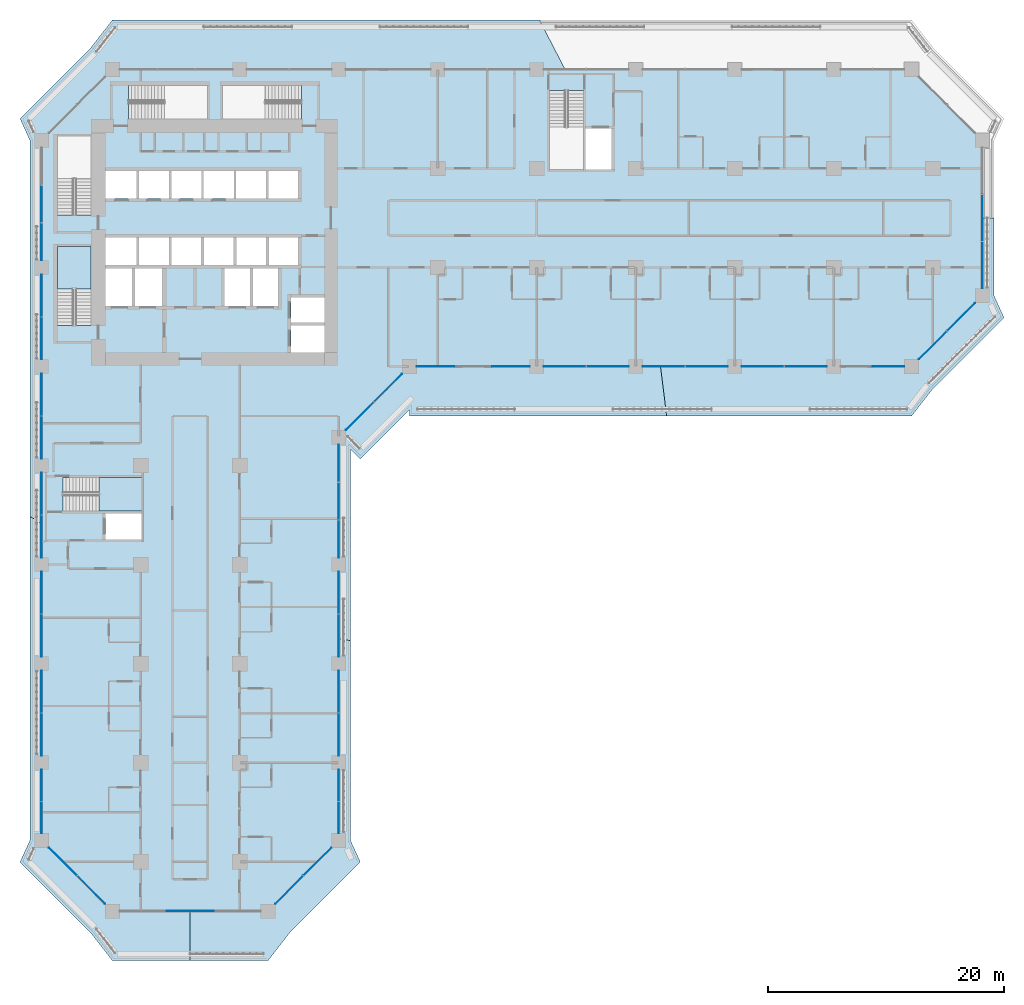
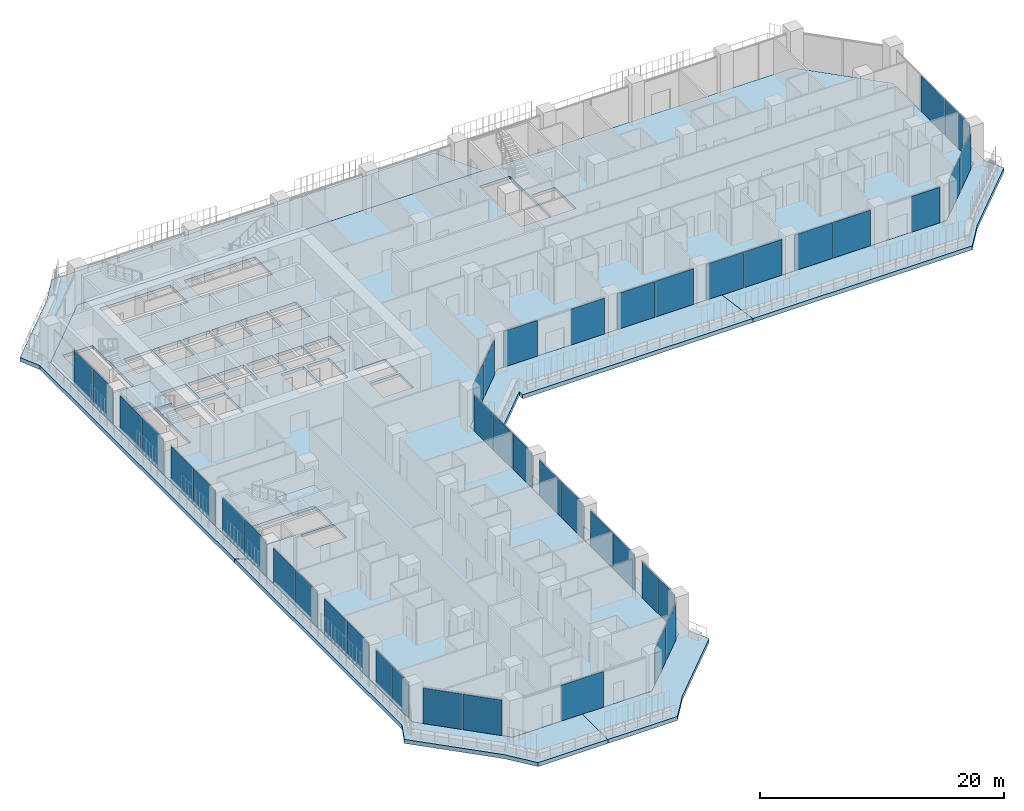
# One storey, part 10 of 28: 43 plates, 8 slabs, 11 elements without a shape of their own.
"""IFC4 building model written with IfcOpenShell, lengths in metres."""

from ifc_helpers import new_model, si_unit, direction, frame, origin, origin_2d, place, context, subcontext, project, spatial, polyline, rectangle, outline, extrude, material, layer, layer_set, type_object, element, aggregate, save


model = new_model("IFC4")

# Units and contexts
model_context = context("Model", 3, precision=1e-05, world=origin(), true_north=direction((0.0, 1.0)))
body_context = subcontext(model_context, "Body", "Model", "MODEL_VIEW")
ifc_project = project(units=[si_unit("LENGTHUNIT", "METRE"), si_unit("AREAUNIT", "SQUARE_METRE"), si_unit("VOLUMEUNIT", "CUBIC_METRE"), si_unit("PLANEANGLEUNIT", "RADIAN"), si_unit("MASSUNIT", "GRAM", prefix="KILO")], contexts=[model_context])

# Site, building, storey
site_placement = place(None, origin())
site = spatial("IfcSite", under=ifc_project, at=site_placement, CompositionType="ELEMENT")
building_placement = place(site_placement, origin())
building = spatial("IfcBuilding", under=site, at=building_placement, Name="Kawkab Arch Medical Tower", CompositionType="ELEMENT")
storey_placement = place(building_placement, frame((0.0, 0.0, 89.60009765625)))
storey = spatial("IfcBuildingStorey", under=building, at=storey_placement, Name="L20", CompositionType="ELEMENT", Elevation=89.60009765625)

# Curtain wall, plates
ifc_material_1 = material(Name="Bronze anodised aluminium curtain wall frame", Category="aluminium")
ifc_layer_1 = layer(ifc_material_1, 0.159912109375)
ifc_layer_set_1 = layer_set([ifc_layer_1], Name="Bronze anodised aluminium curtain wall frame")
curtain_wall_type_1 = type_object("IfcCurtainWallType", Name="CW1 ward curtain wall", PredefinedType="NOTDEFINED", material=ifc_layer_set_1)
placement_1 = place(storey_placement, origin())
curtain_wall_1 = element("IfcCurtainWall", 1, at=placement_1, inside=storey, type_object=curtain_wall_type_1, Name="CW1 Ward curtain wall R01", PredefinedType="NOTDEFINED")
ifc_material_2 = material(Name="Tinted insulating glass, bronze low-e coating", Category="glass")
ifc_layer_2 = layer(ifc_material_2, 0.031982421875)
ifc_layer_set_2 = layer_set([ifc_layer_2], Name="Tinted insulating glass, bronze low-e coating")
plate_type_1 = type_object("IfcPlateType", Name="CW1 glazing unit 32", PredefinedType="CURTAIN_PANEL", material=ifc_layer_set_2)
plate_1_placement = place(storey_placement, frame((0.0, -11.41259765625, -0.000244140625), z_axis=(0.0, 0.0, 1.0), x_axis=(0.0, -1.0, 0.0)))
plate_1 = element("IfcPlate", 2, at=plate_1_placement, type_object=plate_type_1, Name="CW1 glazing unit 1.2", PredefinedType="CURTAIN_PANEL", context=body_context, shape_type="SweptSolid", body=[
    extrude(rectangle(XDim=3.131591796875, YDim=0.031982421875, at=origin_2d()), origin(), (0.0, 0.0, 1.0), 3.580078125),
])
plate_2_placement = place(storey_placement, frame((0.0, -14.619140625, -0.000244140625), z_axis=(0.0, 0.0, 1.0), x_axis=(0.0, -1.0, 0.0)))
plate_2 = element("IfcPlate", 3, at=plate_2_placement, type_object=plate_type_1, Name="CW1 glazing unit 1.3", PredefinedType="CURTAIN_PANEL", context=body_context, shape_type="SweptSolid", body=[
    extrude(rectangle(XDim=3.16162109375, YDim=0.031982421875, at=origin_2d()), origin(), (0.0, 0.0, 1.0), 3.580078125),
])
plate_3_placement = place(storey_placement, frame((0.0, -19.18505859375, -0.000244140625), z_axis=(0.0, 0.0, 1.0), x_axis=(0.0, -1.0, 0.0)))
plate_3 = element("IfcPlate", 4, at=plate_3_placement, type_object=plate_type_1, Name="CW1 glazing unit 2.1", PredefinedType="CURTAIN_PANEL", context=body_context, shape_type="SweptSolid", body=[
    extrude(rectangle(XDim=3.570068359375, YDim=0.031982421875, at=origin_2d()), origin(), (0.0, 0.0, 1.0), 3.580078125),
])
plate_4_placement = place(storey_placement, frame((0.0, -22.81494140625, -0.000244140625), z_axis=(0.0, 0.0, 1.0), x_axis=(0.0, -1.0, 0.0)))
plate_4 = element("IfcPlate", 5, at=plate_4_placement, type_object=plate_type_1, Name="CW1 glazing unit 2.2", PredefinedType="CURTAIN_PANEL", context=body_context, shape_type="SweptSolid", body=[
    extrude(rectangle(XDim=3.570068359375, YDim=0.031982421875, at=origin_2d()), origin(), (0.0, 0.0, 1.0), 3.580078125),
])
plate_5_placement = place(storey_placement, frame((0.0, -27.5849609375, -0.000244140625), z_axis=(0.0, 0.0, 1.0), x_axis=(0.0, -1.0, 0.0)))
plate_5 = element("IfcPlate", 6, at=plate_5_placement, type_object=plate_type_1, Name="CW1 glazing unit 3.1", PredefinedType="CURTAIN_PANEL", context=body_context, shape_type="SweptSolid", body=[
    extrude(rectangle(XDim=3.570068359375, YDim=0.031982421875, at=origin_2d()), origin(), (0.0, 0.0, 1.0), 3.580078125),
])
plate_6_placement = place(storey_placement, frame((0.0, -31.215087890625, -0.000244140625), z_axis=(0.0, 0.0, 1.0), x_axis=(0.0, -1.0, 0.0)))
plate_6 = element("IfcPlate", 7, at=plate_6_placement, type_object=plate_type_1, Name="CW1 glazing unit 3.2", PredefinedType="CURTAIN_PANEL", context=body_context, shape_type="SweptSolid", body=[
    extrude(rectangle(XDim=3.570068359375, YDim=0.031982421875, at=origin_2d()), origin(), (0.0, 0.0, 1.0), 3.580078125),
])
plate_7_placement = place(storey_placement, frame((0.0, -35.985107421875, -0.000244140625), z_axis=(0.0, 0.0, 1.0), x_axis=(0.0, -1.0, 0.0)))
plate_7 = element("IfcPlate", 8, at=plate_7_placement, type_object=plate_type_1, Name="CW1 glazing unit 4.1", PredefinedType="CURTAIN_PANEL", context=body_context, shape_type="SweptSolid", body=[
    extrude(rectangle(XDim=3.570068359375, YDim=0.031982421875, at=origin_2d()), origin(), (0.0, 0.0, 1.0), 3.580078125),
])
plate_8_placement = place(storey_placement, frame((0.0, -39.614990234375, -0.000244140625), z_axis=(0.0, 0.0, 1.0), x_axis=(0.0, -1.0, 0.0)))
plate_8 = element("IfcPlate", 9, at=plate_8_placement, type_object=plate_type_1, Name="CW1 glazing unit 4.2", PredefinedType="CURTAIN_PANEL", context=body_context, shape_type="SweptSolid", body=[
    extrude(rectangle(XDim=3.570068359375, YDim=0.031982421875, at=origin_2d()), origin(), (0.0, 0.0, 1.0), 3.580078125),
])
plate_9_placement = place(storey_placement, frame((0.0, -44.385009765625, -0.000244140625), z_axis=(0.0, 0.0, 1.0), x_axis=(0.0, -1.0, 0.0)))
plate_9 = element("IfcPlate", 10, at=plate_9_placement, type_object=plate_type_1, Name="CW1 glazing unit 5.1", PredefinedType="CURTAIN_PANEL", context=body_context, shape_type="SweptSolid", body=[
    extrude(rectangle(XDim=3.570068359375, YDim=0.031982421875, at=origin_2d()), origin(), (0.0, 0.0, 1.0), 3.580078125),
])
plate_10_placement = place(storey_placement, frame((0.0, -48.014892578125, -0.000244140625), z_axis=(0.0, 0.0, 1.0), x_axis=(0.0, -1.0, 0.0)))
plate_10 = element("IfcPlate", 11, at=plate_10_placement, type_object=plate_type_1, Name="CW1 glazing unit 5.2", PredefinedType="CURTAIN_PANEL", context=body_context, shape_type="SweptSolid", body=[
    extrude(rectangle(XDim=3.570068359375, YDim=0.031982421875, at=origin_2d()), origin(), (0.0, 0.0, 1.0), 3.580078125),
])
plate_11_placement = place(storey_placement, frame((0.0, -52.784912109375, -0.000244140625), z_axis=(0.0, 0.0, 1.0), x_axis=(0.0, -1.0, 0.0)))
plate_11 = element("IfcPlate", 12, at=plate_11_placement, type_object=plate_type_1, Name="CW1 glazing unit 6.1", PredefinedType="CURTAIN_PANEL", context=body_context, shape_type="SweptSolid", body=[
    extrude(rectangle(XDim=3.570068359375, YDim=0.031982421875, at=origin_2d()), origin(), (0.0, 0.0, 1.0), 3.580078125),
])
plate_12_placement = place(storey_placement, frame((0.0, -56.4150390625, -0.000244140625), z_axis=(0.0, 0.0, 1.0), x_axis=(0.0, -1.0, 0.0)))
plate_12 = element("IfcPlate", 13, at=plate_12_placement, type_object=plate_type_1, Name="CW1 glazing unit 6.2", PredefinedType="CURTAIN_PANEL", context=body_context, shape_type="SweptSolid", body=[
    extrude(rectangle(XDim=3.570068359375, YDim=0.031982421875, at=origin_2d()), origin(), (0.0, 0.0, 1.0), 3.580078125),
])
plate_13_placement = place(storey_placement, frame((0.0, -60.728759765625, -0.000244140625), z_axis=(0.0, 0.0, 1.0), x_axis=(0.0, -1.0, 0.0)))
plate_13 = element("IfcPlate", 14, at=plate_13_placement, type_object=plate_type_1, Name="CW1 glazing unit 7.1", PredefinedType="CURTAIN_PANEL", context=body_context, shape_type="SweptSolid", body=[
    extrude(rectangle(XDim=2.657470703125, YDim=0.031982421875, at=origin_2d()), origin(), (0.0, 0.0, 1.0), 3.580078125),
])
plate_14_placement = place(storey_placement, frame((0.0, -63.4462890625, -0.000244140625), z_axis=(0.0, 0.0, 1.0), x_axis=(0.0, -1.0, 0.0)))
plate_14 = element("IfcPlate", 15, at=plate_14_placement, type_object=plate_type_1, Name="CW1 glazing unit 7.2", PredefinedType="CURTAIN_PANEL", context=body_context, shape_type="SweptSolid", body=[
    extrude(rectangle(XDim=2.657470703125, YDim=0.031982421875, at=origin_2d()), origin(), (0.0, 0.0, 1.0), 3.580078125),
])
aggregate(curtain_wall_1, [plate_1, plate_2, plate_3, plate_4, plate_5, plate_6, plate_7, plate_8, plate_9, plate_10, plate_11, plate_12, plate_13, plate_14])

# Curtain wall, plate
curtain_wall_2 = element("IfcCurtainWall", 16, at=placement_1, inside=storey, type_object=curtain_wall_type_1, Name="CW1 Ward curtain wall R03", PredefinedType="NOTDEFINED")
plate_15_placement = place(storey_placement, frame((12.60009765625, -71.39990234375, -0.000244140625), z_axis=(0.0, 0.0, 1.0), x_axis=(1.0, 0.0, 0.0)))
plate_15 = element("IfcPlate", 17, at=plate_15_placement, type_object=plate_type_1, Name="CW1 glazing unit 1.2", PredefinedType="CURTAIN_PANEL", context=body_context, shape_type="SweptSolid", body=[
    extrude(rectangle(XDim=3.9833984375, YDim=0.031982421875, at=origin_2d()), origin(), (0.0, 0.0, 1.0), 3.580078125),
])
aggregate(curtain_wall_2, [plate_15])

# Curtain wall, plates
curtain_wall_3 = element("IfcCurtainWall", 18, at=placement_1, inside=storey, type_object=curtain_wall_type_1, Name="CW1 Ward curtain wall R05", PredefinedType="NOTDEFINED")
plate_16_placement = place(storey_placement, frame((25.199951171875, -63.4462890625, -0.000244140625), z_axis=(0.0, 0.0, 1.0), x_axis=(0.0, 1.0, 0.0)))
plate_16 = element("IfcPlate", 19, at=plate_16_placement, type_object=plate_type_1, Name="CW1 glazing unit 1.1", PredefinedType="CURTAIN_PANEL", context=body_context, shape_type="SweptSolid", body=[
    extrude(rectangle(XDim=2.657470703125, YDim=0.031982421875, at=origin_2d()), origin(), (0.0, 0.0, 1.0), 3.580078125),
])
plate_17_placement = place(storey_placement, frame((25.199951171875, -60.728759765625, -0.000244140625), z_axis=(0.0, 0.0, 1.0), x_axis=(0.0, 1.0, 0.0)))
plate_17 = element("IfcPlate", 20, at=plate_17_placement, type_object=plate_type_1, Name="CW1 glazing unit 1.2", PredefinedType="CURTAIN_PANEL", context=body_context, shape_type="SweptSolid", body=[
    extrude(rectangle(XDim=2.657470703125, YDim=0.031982421875, at=origin_2d()), origin(), (0.0, 0.0, 1.0), 3.580078125),
])
plate_18_placement = place(storey_placement, frame((25.199951171875, -56.4150390625, -0.000244140625), z_axis=(0.0, 0.0, 1.0), x_axis=(0.0, 1.0, 0.0)))
plate_18 = element("IfcPlate", 21, at=plate_18_placement, type_object=plate_type_1, Name="CW1 glazing unit 2.1", PredefinedType="CURTAIN_PANEL", context=body_context, shape_type="SweptSolid", body=[
    extrude(rectangle(XDim=3.570068359375, YDim=0.031982421875, at=origin_2d()), origin(), (0.0, 0.0, 1.0), 3.580078125),
])
plate_19_placement = place(storey_placement, frame((25.199951171875, -52.784912109375, -0.000244140625), z_axis=(0.0, 0.0, 1.0), x_axis=(0.0, 1.0, 0.0)))
plate_19 = element("IfcPlate", 22, at=plate_19_placement, type_object=plate_type_1, Name="CW1 glazing unit 2.2", PredefinedType="CURTAIN_PANEL", context=body_context, shape_type="SweptSolid", body=[
    extrude(rectangle(XDim=3.570068359375, YDim=0.031982421875, at=origin_2d()), origin(), (0.0, 0.0, 1.0), 3.580078125),
])
plate_20_placement = place(storey_placement, frame((25.199951171875, -48.014892578125, -0.000244140625), z_axis=(0.0, 0.0, 1.0), x_axis=(0.0, 1.0, 0.0)))
plate_20 = element("IfcPlate", 23, at=plate_20_placement, type_object=plate_type_1, Name="CW1 glazing unit 3.1", PredefinedType="CURTAIN_PANEL", context=body_context, shape_type="SweptSolid", body=[
    extrude(rectangle(XDim=3.570068359375, YDim=0.031982421875, at=origin_2d()), origin(), (0.0, 0.0, 1.0), 3.580078125),
])
plate_21_placement = place(storey_placement, frame((25.199951171875, -44.385009765625, -0.000244140625), z_axis=(0.0, 0.0, 1.0), x_axis=(0.0, 1.0, 0.0)))
plate_21 = element("IfcPlate", 24, at=plate_21_placement, type_object=plate_type_1, Name="CW1 glazing unit 3.2", PredefinedType="CURTAIN_PANEL", context=body_context, shape_type="SweptSolid", body=[
    extrude(rectangle(XDim=3.570068359375, YDim=0.031982421875, at=origin_2d()), origin(), (0.0, 0.0, 1.0), 3.580078125),
])
plate_22_placement = place(storey_placement, frame((25.199951171875, -39.819091796875, -0.000244140625), z_axis=(0.0, 0.0, 1.0), x_axis=(0.0, 1.0, 0.0)))
plate_22 = element("IfcPlate", 25, at=plate_22_placement, type_object=plate_type_1, Name="CW1 glazing unit 4.1", PredefinedType="CURTAIN_PANEL", context=body_context, shape_type="SweptSolid", body=[
    extrude(rectangle(XDim=3.16162109375, YDim=0.031982421875, at=origin_2d()), origin(), (0.0, 0.0, 1.0), 3.580078125),
])
plate_23_placement = place(storey_placement, frame((25.199951171875, -36.612548828125, -0.000244140625), z_axis=(0.0, 0.0, 1.0), x_axis=(0.0, 1.0, 0.0)))
plate_23 = element("IfcPlate", 26, at=plate_23_placement, type_object=plate_type_1, Name="CW1 glazing unit 4.2", PredefinedType="CURTAIN_PANEL", context=body_context, shape_type="SweptSolid", body=[
    extrude(rectangle(XDim=3.131591796875, YDim=0.031982421875, at=origin_2d()), origin(), (0.0, 0.0, 1.0), 3.580078125),
])
plate_24_placement = place(storey_placement, frame((25.199951171875, -33.40576171875, -0.000244140625), z_axis=(0.0, 0.0, 1.0), x_axis=(0.0, 1.0, 0.0)))
plate_24 = element("IfcPlate", 27, at=plate_24_placement, type_object=plate_type_1, Name="CW1 glazing unit 4.3", PredefinedType="CURTAIN_PANEL", context=body_context, shape_type="SweptSolid", body=[
    extrude(rectangle(XDim=3.16162109375, YDim=0.031982421875, at=origin_2d()), origin(), (0.0, 0.0, 1.0), 3.580078125),
])
aggregate(curtain_wall_3, [plate_16, plate_17, plate_18, plate_19, plate_20, plate_21, plate_22, plate_23, plate_24])

curtain_wall_4 = element("IfcCurtainWall", 28, at=placement_1, inside=storey, type_object=curtain_wall_type_1, Name="CW1 Ward curtain wall R07", PredefinedType="NOTDEFINED")
plate_25_placement = place(storey_placement, frame((33.4208984375, -25.199951171875, -0.000244140625), z_axis=(0.0, 0.0, 1.0), x_axis=(1.0, 0.0, 0.0)))
plate_25 = element("IfcPlate", 29, at=plate_25_placement, type_object=plate_type_1, Name="CW1 glazing unit 1.1", PredefinedType="CURTAIN_PANEL", context=body_context, shape_type="SweptSolid", body=[
    extrude(rectangle(XDim=3.191650390625, YDim=0.031982421875, at=origin_2d()), origin(), (0.0, 0.0, 1.0), 3.580078125),
])
plate_26_placement = place(storey_placement, frame((39.80419921875, -25.199951171875, -0.000244140625), z_axis=(0.0, 0.0, 1.0), x_axis=(1.0, 0.0, 0.0)))
plate_26 = element("IfcPlate", 30, at=plate_26_placement, type_object=plate_type_1, Name="CW1 glazing unit 1.3", PredefinedType="CURTAIN_PANEL", context=body_context, shape_type="SweptSolid", body=[
    extrude(rectangle(XDim=3.191650390625, YDim=0.031982421875, at=origin_2d()), origin(), (0.0, 0.0, 1.0), 3.580078125),
])
plate_27_placement = place(storey_placement, frame((44.385009765625, -25.199951171875, -0.000244140625), z_axis=(0.0, 0.0, 1.0), x_axis=(1.0, 0.0, 0.0)))
plate_27 = element("IfcPlate", 31, at=plate_27_placement, type_object=plate_type_1, Name="CW1 glazing unit 2.1", PredefinedType="CURTAIN_PANEL", context=body_context, shape_type="SweptSolid", body=[
    extrude(rectangle(XDim=3.570068359375, YDim=0.031982421875, at=origin_2d()), origin(), (0.0, 0.0, 1.0), 3.580078125),
])
plate_28_placement = place(storey_placement, frame((48.014892578125, -25.199951171875, -0.000244140625), z_axis=(0.0, 0.0, 1.0), x_axis=(1.0, 0.0, 0.0)))
plate_28 = element("IfcPlate", 32, at=plate_28_placement, type_object=plate_type_1, Name="CW1 glazing unit 2.2", PredefinedType="CURTAIN_PANEL", context=body_context, shape_type="SweptSolid", body=[
    extrude(rectangle(XDim=3.570068359375, YDim=0.031982421875, at=origin_2d()), origin(), (0.0, 0.0, 1.0), 3.580078125),
])
plate_29_placement = place(storey_placement, frame((52.784912109375, -25.199951171875, -0.000244140625), z_axis=(0.0, 0.0, 1.0), x_axis=(1.0, 0.0, 0.0)))
plate_29 = element("IfcPlate", 33, at=plate_29_placement, type_object=plate_type_1, Name="CW1 glazing unit 3.1", PredefinedType="CURTAIN_PANEL", context=body_context, shape_type="SweptSolid", body=[
    extrude(rectangle(XDim=3.570068359375, YDim=0.031982421875, at=origin_2d()), origin(), (0.0, 0.0, 1.0), 3.580078125),
])
plate_30_placement = place(storey_placement, frame((56.4150390625, -25.199951171875, -0.000244140625), z_axis=(0.0, 0.0, 1.0), x_axis=(1.0, 0.0, 0.0)))
plate_30 = element("IfcPlate", 34, at=plate_30_placement, type_object=plate_type_1, Name="CW1 glazing unit 3.2", PredefinedType="CURTAIN_PANEL", context=body_context, shape_type="SweptSolid", body=[
    extrude(rectangle(XDim=3.570068359375, YDim=0.031982421875, at=origin_2d()), origin(), (0.0, 0.0, 1.0), 3.580078125),
])
plate_31_placement = place(storey_placement, frame((61.18505859375, -25.199951171875, -0.000244140625), z_axis=(0.0, 0.0, 1.0), x_axis=(1.0, 0.0, 0.0)))
plate_31 = element("IfcPlate", 35, at=plate_31_placement, type_object=plate_type_1, Name="CW1 glazing unit 4.1", PredefinedType="CURTAIN_PANEL", context=body_context, shape_type="SweptSolid", body=[
    extrude(rectangle(XDim=3.570068359375, YDim=0.031982421875, at=origin_2d()), origin(), (0.0, 0.0, 1.0), 3.580078125),
])
plate_32_placement = place(storey_placement, frame((64.81494140625, -25.199951171875, -0.000244140625), z_axis=(0.0, 0.0, 1.0), x_axis=(1.0, 0.0, 0.0)))
plate_32 = element("IfcPlate", 36, at=plate_32_placement, type_object=plate_type_1, Name="CW1 glazing unit 4.2", PredefinedType="CURTAIN_PANEL", context=body_context, shape_type="SweptSolid", body=[
    extrude(rectangle(XDim=3.570068359375, YDim=0.031982421875, at=origin_2d()), origin(), (0.0, 0.0, 1.0), 3.580078125),
])
plate_33_placement = place(storey_placement, frame((71.831298828125, -25.199951171875, -0.000244140625), z_axis=(0.0, 0.0, 1.0), x_axis=(1.0, 0.0, 0.0)))
plate_33 = element("IfcPlate", 37, at=plate_33_placement, type_object=plate_type_1, Name="CW1 glazing unit 5.2", PredefinedType="CURTAIN_PANEL", context=body_context, shape_type="SweptSolid", body=[
    extrude(rectangle(XDim=2.6875, YDim=0.031982421875, at=origin_2d()), origin(), (0.0, 0.0, 1.0), 3.580078125),
])
aggregate(curtain_wall_4, [plate_25, plate_26, plate_27, plate_28, plate_29, plate_30, plate_31, plate_32, plate_33])

curtain_wall_5 = element("IfcCurtainWall", 38, at=placement_1, inside=storey, type_object=curtain_wall_type_1, Name="CW1 Ward curtain wall R09", PredefinedType="NOTDEFINED")
plate_34_placement = place(storey_placement, frame((79.800048828125, -16.598388671875, -0.000244140625), z_axis=(0.0, 0.0, 1.0), x_axis=(0.0, 1.0, 0.0)))
plate_34 = element("IfcPlate", 39, at=plate_34_placement, type_object=plate_type_1, Name="CW1 glazing unit 1.1", PredefinedType="CURTAIN_PANEL", context=body_context, shape_type="SweptSolid", body=[
    extrude(rectangle(XDim=3.953369140625, YDim=0.031982421875, at=origin_2d()), origin(), (0.0, 0.0, 1.0), 3.580078125),
])
plate_35_placement = place(storey_placement, frame((79.800048828125, -12.60009765625, -0.000244140625), z_axis=(0.0, 0.0, 1.0), x_axis=(0.0, 1.0, 0.0)))
plate_35 = element("IfcPlate", 40, at=plate_35_placement, type_object=plate_type_1, Name="CW1 glazing unit 1.2", PredefinedType="CURTAIN_PANEL", context=body_context, shape_type="SweptSolid", body=[
    extrude(rectangle(XDim=3.92333984375, YDim=0.031982421875, at=origin_2d()), origin(), (0.0, 0.0, 1.0), 3.580078125),
])
aggregate(curtain_wall_5, [plate_34, plate_35])

ifc_material_3 = material(Name="Bronze anodised aluminium curtain wall frame", Category="aluminium")
ifc_layer_3 = layer(ifc_material_3, 0.159912109375)
ifc_layer_set_3 = layer_set([ifc_layer_3], Name="Bronze anodised aluminium curtain wall frame")
curtain_wall_type_2 = type_object("IfcCurtainWallType", Name="CW2 chamfer curtain wall", PredefinedType="NOTDEFINED", material=ifc_layer_set_3)
curtain_wall_6 = element("IfcCurtainWall", 41, at=placement_1, inside=storey, type_object=curtain_wall_type_2, Name="CW2 Chamfer curtain wall R02", PredefinedType="NOTDEFINED")
ifc_material_4 = material(Name="Tinted insulating glass, bronze low-e coating", Category="glass")
ifc_layer_4 = layer(ifc_material_4, 0.031982421875)
ifc_layer_set_4 = layer_set([ifc_layer_4], Name="Tinted insulating glass, bronze low-e coating")
plate_type_2 = type_object("IfcPlateType", Name="CW2 glazing unit 32", PredefinedType="CURTAIN_PANEL", material=ifc_layer_set_4)
plate_36_placement = place(storey_placement, frame((1.802001953125, -67.201904296875, -0.000244140625), z_axis=(0.0, 0.0, 1.0), x_axis=(0.707106781187, -0.707106781187, 0.0)))
plate_36 = element("IfcPlate", 42, at=plate_36_placement, type_object=plate_type_2, Name="CW2 glazing unit 1.1", PredefinedType="CURTAIN_PANEL", context=body_context, shape_type="SweptSolid", body=[
    extrude(rectangle(XDim=3.328857421875, YDim=0.031982421875, at=origin_2d()), origin(), (0.0, 0.0, 1.0), 3.56005859375),
])
plate_37_placement = place(storey_placement, frame((4.197998046875, -69.59814453125, -0.000244140625), z_axis=(0.0, 0.0, 1.0), x_axis=(0.707106781187, -0.707106781187, 0.0)))
plate_37 = element("IfcPlate", 43, at=plate_37_placement, type_object=plate_type_2, Name="CW2 glazing unit 1.2", PredefinedType="CURTAIN_PANEL", context=body_context, shape_type="SweptSolid", body=[
    extrude(rectangle(XDim=3.328857421875, YDim=0.031982421875, at=origin_2d()), origin(), (0.0, 0.0, 1.0), 3.56005859375),
])
aggregate(curtain_wall_6, [plate_36, plate_37])

curtain_wall_7 = element("IfcCurtainWall", 44, at=placement_1, inside=storey, type_object=curtain_wall_type_2, Name="CW2 Chamfer curtain wall R04", PredefinedType="NOTDEFINED")
plate_38_placement = place(storey_placement, frame((21.001953125, -69.59814453125, -0.000244140625), z_axis=(0.0, 0.0, 1.0), x_axis=(0.707106781187, 0.707106781187, 0.0)))
plate_38 = element("IfcPlate", 45, at=plate_38_placement, type_object=plate_type_2, Name="CW2 glazing unit 1.1", PredefinedType="CURTAIN_PANEL", context=body_context, shape_type="SweptSolid", body=[
    extrude(rectangle(XDim=3.328857421875, YDim=0.031982421875, at=origin_2d()), origin(), (0.0, 0.0, 1.0), 3.56005859375),
])
plate_39_placement = place(storey_placement, frame((23.398193359375, -67.201904296875, -0.000244140625), z_axis=(0.0, 0.0, 1.0), x_axis=(0.707106781187, 0.707106781187, 0.0)))
plate_39 = element("IfcPlate", 46, at=plate_39_placement, type_object=plate_type_2, Name="CW2 glazing unit 1.2", PredefinedType="CURTAIN_PANEL", context=body_context, shape_type="SweptSolid", body=[
    extrude(rectangle(XDim=3.328857421875, YDim=0.031982421875, at=origin_2d()), origin(), (0.0, 0.0, 1.0), 3.56005859375),
])
aggregate(curtain_wall_7, [plate_38, plate_39])

curtain_wall_8 = element("IfcCurtainWall", 47, at=placement_1, inside=storey, type_object=curtain_wall_type_2, Name="CW2 Chamfer curtain wall R06", PredefinedType="NOTDEFINED")
plate_40_placement = place(storey_placement, frame((27.001953125, -29.398193359375, -0.000244140625), z_axis=(0.0, 0.0, 1.0), x_axis=(0.707106781187, 0.707106781187, 0.0)))
plate_40 = element("IfcPlate", 48, at=plate_40_placement, type_object=plate_type_2, Name="CW2 glazing unit 1.1", PredefinedType="CURTAIN_PANEL", context=body_context, shape_type="SweptSolid", body=[
    extrude(rectangle(XDim=3.328857421875, YDim=0.031982421875, at=origin_2d()), origin(), (0.0, 0.0, 1.0), 3.56005859375),
])
plate_41_placement = place(storey_placement, frame((29.398193359375, -27.001953125, -0.000244140625), z_axis=(0.0, 0.0, 1.0), x_axis=(0.707106781187, 0.707106781187, 0.0)))
plate_41 = element("IfcPlate", 49, at=plate_41_placement, type_object=plate_type_2, Name="CW2 glazing unit 1.2", PredefinedType="CURTAIN_PANEL", context=body_context, shape_type="SweptSolid", body=[
    extrude(rectangle(XDim=3.328857421875, YDim=0.031982421875, at=origin_2d()), origin(), (0.0, 0.0, 1.0), 3.56005859375),
])
aggregate(curtain_wall_8, [plate_40, plate_41])

curtain_wall_9 = element("IfcCurtainWall", 50, at=placement_1, inside=storey, type_object=curtain_wall_type_2, Name="CW2 Chamfer curtain wall R08", PredefinedType="NOTDEFINED")
plate_42_placement = place(storey_placement, frame((75.601806640625, -23.398193359375, -0.000244140625), z_axis=(0.0, 0.0, 1.0), x_axis=(0.707106781187, 0.707106781187, 0.0)))
plate_42 = element("IfcPlate", 51, at=plate_42_placement, type_object=plate_type_2, Name="CW2 glazing unit 1.1", PredefinedType="CURTAIN_PANEL", context=body_context, shape_type="SweptSolid", body=[
    extrude(rectangle(XDim=3.328857421875, YDim=0.031982421875, at=origin_2d()), origin(), (0.0, 0.0, 1.0), 3.56005859375),
])
plate_43_placement = place(storey_placement, frame((77.998046875, -21.001953125, -0.000244140625), z_axis=(0.0, 0.0, 1.0), x_axis=(0.707106781187, 0.707106781187, 0.0)))
plate_43 = element("IfcPlate", 52, at=plate_43_placement, type_object=plate_type_2, Name="CW2 glazing unit 1.2", PredefinedType="CURTAIN_PANEL", context=body_context, shape_type="SweptSolid", body=[
    extrude(rectangle(XDim=3.328857421875, YDim=0.031982421875, at=origin_2d()), origin(), (0.0, 0.0, 1.0), 3.56005859375),
])
aggregate(curtain_wall_9, [plate_42, plate_43])

# Stair, slab
ifc_material_5 = material(Name="Concrete C40/50", Category="concrete")
stair_type = type_object("IfcStairType", Name="Exit stair 1350", PredefinedType="HALF_TURN_STAIR", material=ifc_material_5)
stair_1 = element("IfcStair", 53, at=placement_1, inside=storey, type_object=stair_type, Name="L20 Exit stair ST2", PredefinedType="HALF_TURN_STAIR")
ifc_material_6 = material(Name="Concrete C40/50", Category="concrete")
ifc_layer_5 = layer(ifc_material_6, 0.199951171875)
ifc_layer_set_5 = layer_set([ifc_layer_5], Name="Concrete C40/50")
slab_type_1 = type_object("IfcSlabType", Name="Exit stair landing 200", PredefinedType="LANDING", material=ifc_layer_set_5)
placement_2 = place(storey_placement, frame((0.0, 0.0, 1.89990234375)))
slab_1 = element("IfcSlab", 54, at=placement_2, type_object=slab_type_1, Name="ST2 landing 1", PredefinedType="LANDING", context=body_context, shape_type="SweptSolid", body=[
    extrude(outline(polyline([(4.199951171875, -18.6201171875), (4.199951171875, -15.0), (1.35009765625, -15.0), (1.35009765625, -18.6201171875), (4.199951171875, -18.6201171875)])), origin(), (0.0, 0.0, 1.0), 0.199951171875),
])
aggregate(stair_1, [slab_1])

stair_2 = element("IfcStair", 55, at=placement_1, inside=storey, type_object=stair_type, Name="L20 Exit stair ST6", PredefinedType="HALF_TURN_STAIR")
slab_2 = element("IfcSlab", 56, at=placement_2, type_object=slab_type_1, Name="ST6 landing 1", PredefinedType="LANDING", context=body_context, shape_type="SweptSolid", body=[
    extrude(outline(polyline([(4.8798828125, -37.449951171875), (8.5, -37.449951171875), (8.5, -34.60009765625), (4.8798828125, -34.60009765625), (4.8798828125, -37.449951171875)])), origin(), (0.0, 0.0, 1.0), 0.199951171875),
])
aggregate(stair_2, [slab_2])

# Slabs
ifc_material_7 = material(Name="Concrete C40/50", Category="concrete")
ifc_layer_6 = layer(ifc_material_7, 0.300048828125)
ifc_layer_set_6 = layer_set([ifc_layer_6], Name="Concrete C40/50")
slab_type_2 = type_object("IfcSlabType", Name="Flat plate 300 C40/50", PredefinedType="FLOOR", material=ifc_layer_set_6)
slab_3_placement = place(storey_placement, frame((0.0, 0.0, -0.300048828125)))
element("IfcSlab", 57, at=slab_3_placement, inside=storey, type_object=slab_type_2, Name="Floor slab L20", PredefinedType="FLOOR", context=body_context, shape_type="SweptSolid", body=[
    extrude(outline(polyline([(6.0, 0.0), (73.800048828125, 0.0), (79.800048828125, -6.0), (79.800048828125, -19.199951171875), (73.800048828125, -25.199951171875), (31.199951171875, -25.199951171875), (25.199951171875, -31.199951171875), (25.199951171875, -65.39990234375), (19.199951171875, -71.39990234375), (6.0, -71.39990234375), (0.0, -65.39990234375), (0.0, -6.0), (6.0, 0.0)]), holes=[polyline([(5.425048828125, -37.64990234375), (5.425048828125, -39.85009765625), (8.5, -39.85009765625), (8.5, -37.64990234375), (5.425048828125, -37.64990234375)]), polyline([(1.800048828125, -37.449951171875), (8.5, -37.449951171875), (8.5, -34.60009765625), (1.800048828125, -34.60009765625), (1.800048828125, -37.449951171875)]), polyline([(5.39990234375, -16.89990234375), (5.39990234375, -20.050048828125), (7.675048828125, -20.050048828125), (7.675048828125, -16.89990234375), (5.39990234375, -16.89990234375)]), polyline([(10.199951171875, -16.89990234375), (7.925048828125, -16.89990234375), (7.925048828125, -20.050048828125), (10.199951171875, -20.050048828125), (10.199951171875, -16.89990234375)]), polyline([(4.199951171875, -21.699951171875), (4.199951171875, -15.0), (1.35009765625, -15.0), (1.35009765625, -21.699951171875), (4.199951171875, -21.699951171875)]), polyline([(5.39990234375, -14.25), (5.39990234375, -16.60009765625), (8.050048828125, -16.60009765625), (8.050048828125, -14.25), (5.39990234375, -14.25)]), polyline([(8.25, -16.60009765625), (10.800048828125, -16.60009765625), (10.800048828125, -14.25), (8.25, -14.25), (8.25, -16.60009765625)]), polyline([(13.52490234375, -14.25), (11.0, -14.25), (11.0, -16.60009765625), (13.52490234375, -16.60009765625), (13.52490234375, -14.25)]), polyline([(5.39990234375, -8.60009765625), (5.39990234375, -10.949951171875), (8.050048828125, -10.949951171875), (8.050048828125, -8.60009765625), (5.39990234375, -8.60009765625)]), polyline([(8.25, -10.949951171875), (10.800048828125, -10.949951171875), (10.800048828125, -8.60009765625), (8.25, -8.60009765625), (8.25, -10.949951171875)]), polyline([(11.0, -8.60009765625), (11.0, -10.949951171875), (13.550048828125, -10.949951171875), (13.550048828125, -8.60009765625), (11.0, -8.60009765625)]), polyline([(4.199951171875, -12.35009765625), (4.199951171875, -5.64990234375), (1.35009765625, -5.64990234375), (1.35009765625, -12.35009765625), (4.199951171875, -12.35009765625)]), polyline([(7.35009765625, -4.199951171875), (14.050048828125, -4.199951171875), (14.050048828125, -1.35009765625), (7.35009765625, -1.35009765625), (7.35009765625, -4.199951171875)]), polyline([(24.0, -21.72509765625), (21.14990234375, -21.72509765625), (21.14990234375, -24.0), (24.0, -24.0), (24.0, -21.72509765625)]), polyline([(24.0, -21.47509765625), (24.0, -19.35009765625), (21.14990234375, -19.35009765625), (21.14990234375, -21.47509765625), (24.0, -21.47509765625)]), polyline([(15.52490234375, -16.89990234375), (15.52490234375, -20.050048828125), (17.675048828125, -20.050048828125), (17.675048828125, -16.89990234375), (15.52490234375, -16.89990234375)]), polyline([(20.050048828125, -20.050048828125), (20.050048828125, -16.89990234375), (17.925048828125, -16.89990234375), (17.925048828125, -20.050048828125), (20.050048828125, -20.050048828125)]), polyline([(16.27490234375, -14.25), (13.77490234375, -14.25), (13.77490234375, -16.60009765625), (16.27490234375, -16.60009765625), (16.27490234375, -14.25)]), polyline([(16.52490234375, -16.60009765625), (19.02490234375, -16.60009765625), (19.02490234375, -14.25), (16.52490234375, -14.25), (16.52490234375, -16.60009765625)]), polyline([(19.27490234375, -16.60009765625), (21.75, -16.60009765625), (21.75, -14.25), (19.27490234375, -14.25), (19.27490234375, -16.60009765625)]), polyline([(13.75, -8.60009765625), (13.75, -10.949951171875), (16.300048828125, -10.949951171875), (16.300048828125, -8.60009765625), (13.75, -8.60009765625)]), polyline([(19.050048828125, -10.949951171875), (19.050048828125, -8.60009765625), (16.5, -8.60009765625), (16.5, -10.949951171875), (19.050048828125, -10.949951171875)]), polyline([(19.25, -10.949951171875), (21.75, -10.949951171875), (21.75, -8.60009765625), (19.25, -8.60009765625), (19.25, -10.949951171875)]), polyline([(46.14990234375, -5.02490234375), (46.14990234375, -8.5), (48.35009765625, -8.5), (48.35009765625, -5.02490234375), (46.14990234375, -5.02490234375)]), polyline([(43.10009765625, -1.800048828125), (43.10009765625, -8.5), (45.949951171875, -8.5), (45.949951171875, -1.800048828125), (43.10009765625, -1.800048828125)]), polyline([(22.050048828125, -1.35009765625), (15.35009765625, -1.35009765625), (15.35009765625, -4.199951171875), (22.050048828125, -4.199951171875), (22.050048828125, -1.35009765625)])]), origin(), (0.0, 0.0, 1.0), 0.300048828125),
])
ifc_material_8 = material(Name="Concrete C40/50", Category="concrete")
ifc_layer_7 = layer(ifc_material_8, 0.39990234375)
ifc_layer_set_7 = layer_set([ifc_layer_7], Name="Concrete C40/50")
slab_type_3 = type_object("IfcSlabType", Name="Loggia slab 400", PredefinedType="FLOOR", material=ifc_layer_set_7)
placement_3 = place(storey_placement, frame((0.0, 0.0, -0.400146484375)))
element("IfcSlab", 58, at=placement_3, inside=storey, type_object=slab_type_3, Name="Loggia slab L20.1", PredefinedType="FLOOR", context=body_context, shape_type="SweptSolid", body=[
    extrude(outline(polyline([(12.60009765625, -75.60009765625), (12.60009765625, -71.40087890625), (19.199951171875, -71.40087890625), (19.199951171875, -71.39990234375), (25.199951171875, -65.39990234375), (25.199951171875, -48.300048828125), (26.199951171875, -48.449951171875), (26.199951171875, -65.39990234375), (27.0380859375, -67.238037109375), (21.0380859375, -73.238037109375), (19.199951171875, -75.60009765625), (12.60009765625, -75.60009765625)])), origin(), (0.0, 0.0, 1.0), 0.400146484375),
])
element("IfcSlab", 59, at=placement_3, inside=storey, type_object=slab_type_3, Name="Loggia slab L20.2", PredefinedType="FLOOR", context=body_context, shape_type="SweptSolid", body=[
    extrude(outline(polyline([(4.162109375, -73.238037109375), (-1.837890625, -67.238037109375), (-1.0, -65.39990234375), (-1.0, -37.89501953125), (-0.0009765625, -38.52001953125), (-0.0009765625, -65.39990234375), (0.0, -65.39990234375), (6.0, -71.39990234375), (6.0, -71.40087890625), (12.60009765625, -71.40087890625), (12.60009765625, -75.60009765625), (6.0, -75.60009765625), (4.162109375, -73.238037109375)])), origin(), (0.0, 0.0, 1.0), 0.400146484375),
])
element("IfcSlab", 60, at=placement_3, inside=storey, type_object=slab_type_3, Name="Loggia slab L20.3", PredefinedType="FLOOR", context=body_context, shape_type="SweptSolid", body=[
    extrude(outline(polyline([(31.199951171875, -28.8759765625), (27.0380859375, -33.037109375), (26.199951171875, -32.198974609375), (26.199951171875, -48.448974609375), (25.199951171875, -48.300048828125), (25.199951171875, -31.199951171875), (31.199951171875, -25.199951171875), (52.5, -25.199951171875), (53.01806640625, -29.39990234375), (31.199951171875, -29.39990234375), (31.199951171875, -28.8759765625)])), origin(), (0.0, 0.0, 1.0), 0.400146484375),
])
element("IfcSlab", 61, at=placement_3, inside=storey, type_object=slab_type_3, Name="Loggia slab L20.4", PredefinedType="FLOOR", context=body_context, shape_type="SweptSolid", body=[
    extrude(outline(polyline([(81.637939453125, -21.0380859375), (75.637939453125, -27.0380859375), (73.800048828125, -29.39990234375), (53.01904296875, -29.39990234375), (52.5, -25.199951171875), (73.800048828125, -25.199951171875), (79.800048828125, -19.199951171875), (79.800048828125, -12.60009765625), (80.800048828125, -12.60009765625), (80.800048828125, -19.199951171875), (81.637939453125, -21.0380859375)])), origin(), (0.0, 0.0, 1.0), 0.400146484375),
])
element("IfcSlab", 62, at=placement_3, inside=storey, type_object=slab_type_3, Name="Loggia slab L20.5", PredefinedType="FLOOR", context=body_context, shape_type="SweptSolid", body=[
    extrude(outline(polyline([(4.162109375, 1.837890625), (6.0, 4.199951171875), (35.39990234375, 4.199951171875), (42.23291015625, 4.199951171875), (44.409912109375, 0.0009765625), (31.200927734375, 0.0009765625), (6.0, 0.0009765625), (6.0, 0.0), (0.0, -6.0), (-0.0009765625, -6.0), (-0.0009765625, -38.52001953125), (-1.0, -37.89404296875), (-1.0, -6.0), (-1.837890625, -4.162109375), (4.162109375, 1.837890625)])), origin(), (0.0, 0.0, 1.0), 0.400146484375),
])

save(model, "model.ifc")
